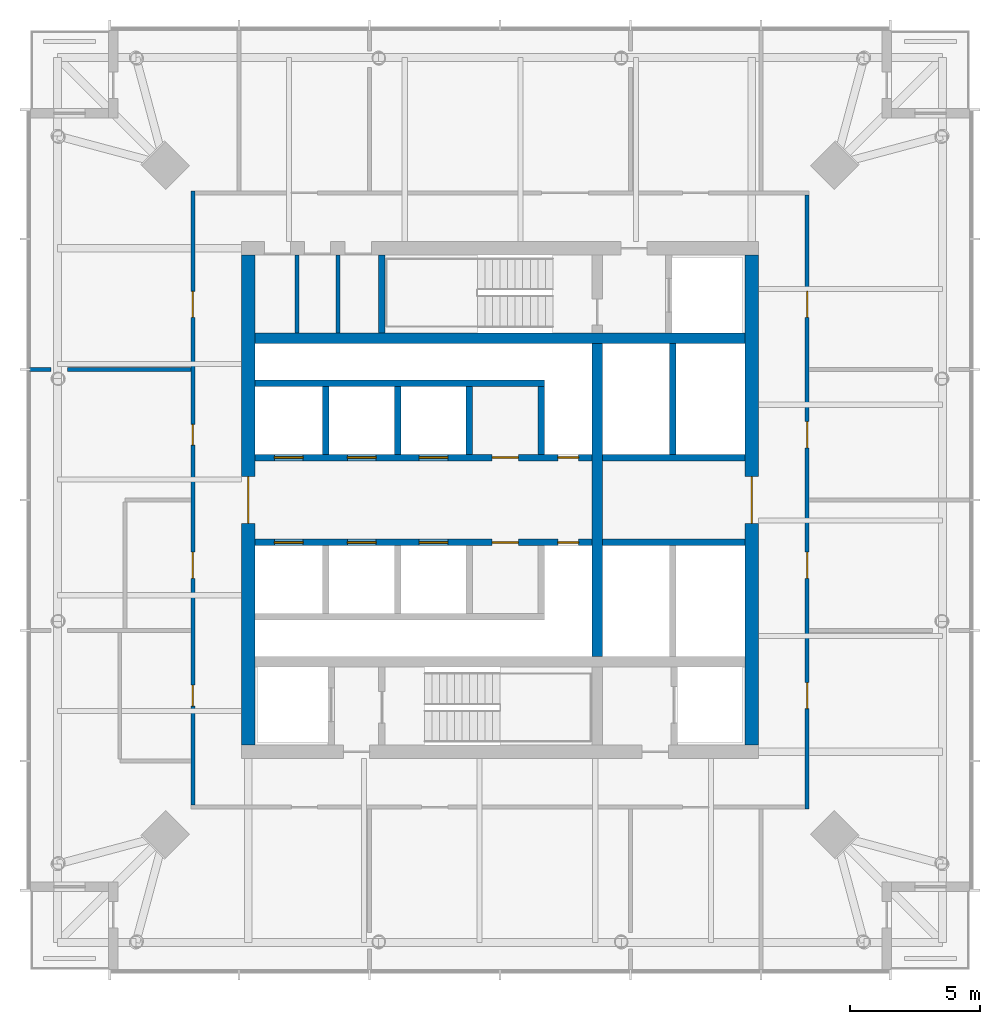
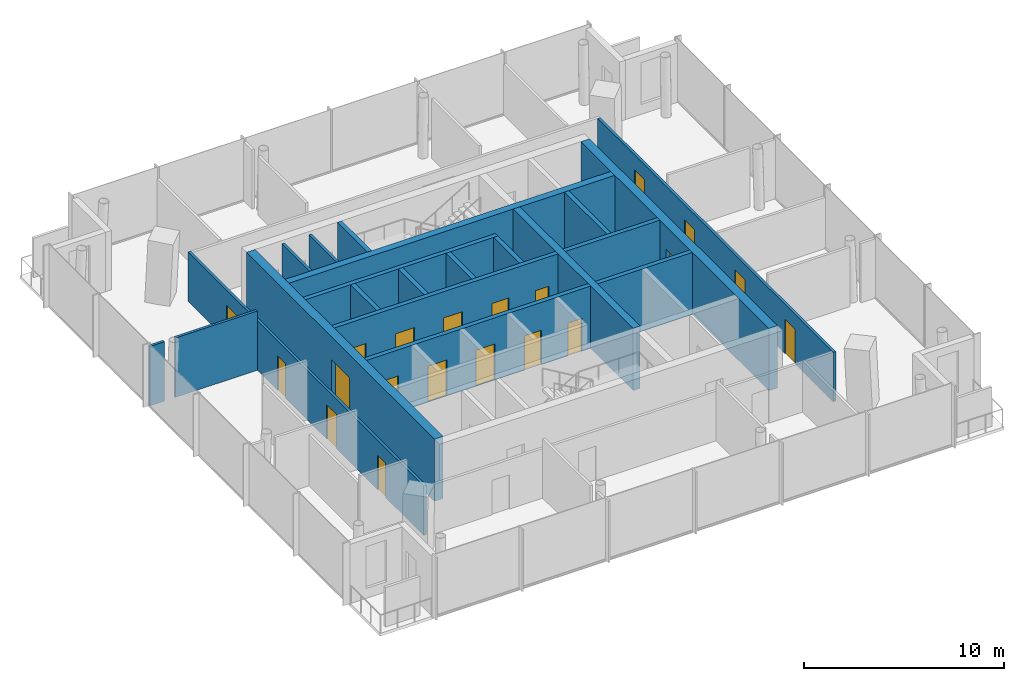
# One storey, part 4 of 7: 21 walls, 20 doors, 20 openings.
"""IFC4 building model written with IfcOpenShell, lengths in metres."""

from ifc_helpers import new_model, si_unit, direction, frame, frame_2d, origin, place, context, subcontext, project, spatial, rectangle, extrude, material, layer, layer_set, type_object, element, fill, save


model = new_model("IFC4")

# Units and contexts
model_context = context("Model", 3, precision=1e-05, world=origin(), true_north=direction((0.0, 1.0)))
body_context = subcontext(model_context, "Body", "Model", "MODEL_VIEW")
ifc_project = project(units=[si_unit("LENGTHUNIT", "METRE"), si_unit("AREAUNIT", "SQUARE_METRE"), si_unit("VOLUMEUNIT", "CUBIC_METRE"), si_unit("PLANEANGLEUNIT", "RADIAN"), si_unit("MASSUNIT", "GRAM", prefix="KILO")], contexts=[model_context])

# Site, building, storey
site_placement = place(None, origin())
site = spatial("IfcSite", under=ifc_project, at=site_placement, CompositionType="ELEMENT")
building_placement = place(site_placement, origin())
building = spatial("IfcBuilding", under=site, at=building_placement, Name="Ostroluk Exchange", CompositionType="ELEMENT")
storey_placement = place(building_placement, frame((0.0, 0.0, 241.39990234375)))
storey = spatial("IfcBuildingStorey", under=building, at=storey_placement, Name="L62", CompositionType="ELEMENT", Elevation=241.39990234375)

# Walls
ifc_material_1 = material(Name="Concrete blockwork", Category="masonry")
ifc_layer_1 = layer(ifc_material_1, 0.14990234375)
ifc_layer_set_1 = layer_set([ifc_layer_1], Name="Blockwork plant room wall 150")
wall_type_1 = type_object("IfcWallType", Name="Blockwork plant room wall 150", PredefinedType="SOLIDWALL", material=ifc_layer_set_1)
for number, where, z_axis, x_axis, name in (
    (1, (37.215087890625, 52.39990234375, 0.0), (0.0, 0.0, 1.0), (0.0, 1.0, 0.0), "Core room wall"),
    (2, (38.782470703125, 52.39990234375, 0.0), (0.0, 0.0, 1.0), (0.0, 1.0, 0.0), "Core room wall"),
):
    element("IfcWall", number, at=place(storey_placement, frame(where, z_axis=z_axis, x_axis=x_axis)), inside=storey, type_object=wall_type_1, Name=name, PredefinedType="SOLIDWALL", context=body_context, shape_type="SweptSolid", body=[
        extrude(rectangle(XDim=3.0, YDim=0.14990234375, at=frame_2d((1.5, 0.0))), origin(), (0.0, 0.0, 1.0), 3.6201171875),
    ])
ifc_material_2 = material(Name="Concrete C50/60", Category="concrete")
ifc_layer_2 = layer(ifc_material_2, 0.39990234375)
ifc_layer_set_2 = layer_set([ifc_layer_2], Name="Core cross wall 400 C50/60")
wall_type_2 = type_object("IfcWallType", Name="Core cross wall 400 C50/60", PredefinedType="SHEAR", material=ifc_layer_set_2)
wall_1_placement = place(storey_placement, frame((35.60009765625, 52.199951171875, 0.0), z_axis=(0.0, 0.0, 1.0), x_axis=(1.0, 0.0, 0.0)))
element("IfcWall", 3, at=wall_1_placement, inside=storey, type_object=wall_type_2, Name="T1 core wall XN", PredefinedType="SHEAR", context=body_context, shape_type="SweptSolid", body=[
    extrude(rectangle(XDim=18.7998046875, YDim=0.39990234375, at=frame_2d((9.39990234375, 0.0))), origin(), (0.0, 0.0, 1.0), 3.800048828125),
])
wall_2_placement = place(storey_placement, frame((48.72998046875, 40.0, 0.0), z_axis=(0.0, 0.0, 1.0), x_axis=(0.0, 1.0, 0.0)))
element("IfcWall", 4, at=wall_2_placement, inside=storey, type_object=wall_type_2, Name="T1 core wall YE2", PredefinedType="SHEAR", context=body_context, shape_type="SweptSolid", body=[
    extrude(rectangle(XDim=12.0, YDim=0.39990234375, at=frame_2d((6.0, 0.0))), origin(), (0.0, 0.0, 1.0), 3.800048828125),
])
ifc_material_3 = material(Name="Concrete C40/50", Category="concrete")
ifc_layer_3 = layer(ifc_material_3, 0.25)
ifc_layer_set_3 = layer_set([ifc_layer_3], Name="Core shaft wall 250")
wall_type_3 = type_object("IfcWallType", Name="Core shaft wall 250", PredefinedType="SHEAR", material=ifc_layer_set_3)
wall_3_placement = place(storey_placement, frame((40.47509765625, 52.39990234375, 0.0), z_axis=(0.0, 0.0, 1.0), x_axis=(0.0, 1.0, 0.0)))
element("IfcWall", 5, at=wall_3_placement, inside=storey, type_object=wall_type_3, Name="Stair shaft wall", PredefinedType="SHEAR", context=body_context, shape_type="SweptSolid", body=[
    extrude(rectangle(XDim=3.0, YDim=0.25, at=frame_2d((1.5, 0.0))), origin(), (0.0, 0.0, 1.0), 3.800048828125),
])
for number, where, z_axis, x_axis, name in (
    (6, (38.324951171875, 47.75, 0.0), (0.0, 0.0, 1.0), (0.0, 1.0, 0.0), "Lift shaft wall"),
    (7, (41.074951171875, 47.75, 0.0), (0.0, 0.0, 1.0), (0.0, 1.0, 0.0), "Lift shaft wall"),
    (8, (43.824951171875, 47.75, 0.0), (0.0, 0.0, 1.0), (0.0, 1.0, 0.0), "Lift shaft wall"),
    (9, (46.574951171875, 47.75, 0.0), (0.0, 0.0, 1.0), (0.0, 1.0, 0.0), "Lift shaft wall"),
):
    element("IfcWall", number, at=place(storey_placement, frame(where, z_axis=z_axis, x_axis=x_axis)), inside=storey, type_object=wall_type_3, Name=name, PredefinedType="SHEAR", context=body_context, shape_type="SweptSolid", body=[
        extrude(rectangle(XDim=2.60009765625, YDim=0.25, at=frame_2d((1.300048828125, 0.0))), origin(), (0.0, 0.0, 1.0), 3.800048828125),
    ])
wall_4_placement = place(storey_placement, frame((35.60009765625, 50.47509765625, 0.0), z_axis=(0.0, 0.0, 1.0), x_axis=(1.0, 0.0, 0.0)))
element("IfcWall", 10, at=wall_4_placement, inside=storey, type_object=wall_type_3, Name="Lift shaft wall", PredefinedType="SHEAR", context=body_context, shape_type="SweptSolid", body=[
    extrude(rectangle(XDim=11.099853515625, YDim=0.25, at=frame_2d((5.5498046875, 0.0))), origin(), (0.0, 0.0, 1.0), 3.800048828125),
])

# Wall, openings, doors
wall_5_placement = place(storey_placement, frame((35.60009765625, 47.625, 0.0), z_axis=(0.0, 0.0, 1.0), x_axis=(1.0, 0.0, 0.0)))
wall_5 = element("IfcWall", 11, at=wall_5_placement, inside=storey, type_object=wall_type_3, Name="Lift shaft front wall", PredefinedType="SHEAR", context=body_context, shape_type="SweptSolid", body=[
    extrude(rectangle(XDim=12.929931640625, YDim=0.25, at=frame_2d((6.46484375, 0.0))), origin(), (0.0, 0.0, 1.0), 3.800048828125),
])
opening_1_placement = place(wall_5_placement, frame((0.75, 0.0, 0.0)))
opening_1 = element("IfcOpeningElement", 12, at=opening_1_placement, cuts=wall_5, Name="Opening LD", PredefinedType="OPENING", context=body_context, shape_type="SweptSolid", body=[
    extrude(rectangle(XDim=1.10009765625, YDim=2.199951171875, at=frame_2d((0.550048828125, 1.10009765625))), frame((0.0, 0.135009765625, 0.0), z_axis=(0.0, -1.0, 0.0), x_axis=(1.0, 0.0, 0.0)), (0.0, 0.0, 1.0), 0.27001953125),
])
opening_2_placement = place(wall_5_placement, frame((3.550048828125, 0.0, 0.0)))
opening_2 = element("IfcOpeningElement", 13, at=opening_2_placement, cuts=wall_5, Name="Opening LD", PredefinedType="OPENING", context=body_context, shape_type="SweptSolid", body=[
    extrude(rectangle(XDim=1.10009765625, YDim=2.199951171875, at=frame_2d((0.550048828125, 1.10009765625))), frame((0.0, 0.135009765625, 0.0), z_axis=(0.0, -1.0, 0.0), x_axis=(1.0, 0.0, 0.0)), (0.0, 0.0, 1.0), 0.27001953125),
])
opening_3_placement = place(wall_5_placement, frame((6.300048828125, 0.0, 0.0)))
opening_3 = element("IfcOpeningElement", 14, at=opening_3_placement, cuts=wall_5, Name="Opening LD", PredefinedType="OPENING", context=body_context, shape_type="SweptSolid", body=[
    extrude(rectangle(XDim=1.10009765625, YDim=2.199951171875, at=frame_2d((0.550048828125, 1.10009765625))), frame((0.0, 0.135009765625, 0.0), z_axis=(0.0, -1.0, 0.0), x_axis=(1.0, 0.0, 0.0)), (0.0, 0.0, 1.0), 0.27001953125),
])
opening_4_placement = place(wall_5_placement, frame((9.10009765625, 0.0, 0.0)))
opening_4 = element("IfcOpeningElement", 15, at=opening_4_placement, cuts=wall_5, Name="Opening FD60", PredefinedType="OPENING", context=body_context, shape_type="SweptSolid", body=[
    extrude(rectangle(XDim=1.0, YDim=2.10009765625, at=frame_2d((0.5, 1.050048828125))), frame((0.0, 0.135009765625, 0.0), z_axis=(0.0, -1.0, 0.0), x_axis=(1.0, 0.0, 0.0)), (0.0, 0.0, 1.0), 0.27001953125),
])
opening_5_placement = place(wall_5_placement, frame((11.614990234375, 0.0, 0.0)))
opening_5 = element("IfcOpeningElement", 16, at=opening_5_placement, cuts=wall_5, Name="Opening RD60", PredefinedType="OPENING", context=body_context, shape_type="SweptSolid", body=[
    extrude(rectangle(XDim=0.800048828125, YDim=2.0, at=frame_2d((0.39990234375, 1.0))), frame((0.0, 0.135009765625, 0.0), z_axis=(0.0, -1.0, 0.0), x_axis=(1.0, 0.0, 0.0)), (0.0, 0.0, 1.0), 0.27001953125),
])
ifc_material_4 = material(Name="Steel", Category="steel")
door_type_1 = type_object("IfcDoorType", Name="Fire door EI 60 1000 x 2100", OperationType="SINGLE_SWING_LEFT", PredefinedType="DOOR", material=ifc_material_4)
door_1_placement = place(opening_4_placement, origin())
door_1 = element("IfcDoor", 17, at=door_1_placement, inside=storey, type_object=door_type_1, Name="Core room door", OperationType="SINGLE_SWING_RIGHT", OverallHeight=2.10009765625, OverallWidth=1.0, PredefinedType="DOOR", context=body_context, shape_type="SweptSolid", body=[
    extrude(rectangle(XDim=1.0, YDim=2.10009765625, at=frame_2d((0.5, 1.050048828125))), frame((0.0, 0.02490234375, 0.0), z_axis=(0.0, -1.0, 0.0), x_axis=(1.0, 0.0, 0.0)), (0.0, 0.0, 1.0), 0.050048828125),
])
fill(opening_4, door_1)
ifc_material_5 = material(Name="Stainless steel", Category="steel")
door_type_2 = type_object("IfcDoorType", Name="Lift landing door E 60 1100 x 2200", OperationType="DOUBLE_DOOR_SLIDING", PredefinedType="DOOR", material=ifc_material_5)
door_2_placement = place(opening_1_placement, origin())
door_2 = element("IfcDoor", 18, at=door_2_placement, inside=storey, type_object=door_type_2, Name="Lift PL-T1 landing door", OperationType="DOUBLE_DOOR_SLIDING", OverallHeight=2.199951171875, OverallWidth=1.10009765625, PredefinedType="DOOR", context=body_context, shape_type="SweptSolid", body=[
    extrude(rectangle(XDim=1.10009765625, YDim=2.199951171875, at=frame_2d((0.550048828125, 1.10009765625))), frame((0.0, 0.02490234375, 0.0), z_axis=(0.0, -1.0, 0.0), x_axis=(1.0, 0.0, 0.0)), (0.0, 0.0, 1.0), 0.050048828125),
])
fill(opening_1, door_2)
door_3_placement = place(opening_2_placement, origin())
door_3 = element("IfcDoor", 19, at=door_3_placement, inside=storey, type_object=door_type_2, Name="Lift PL-T2 landing door", OperationType="DOUBLE_DOOR_SLIDING", OverallHeight=2.199951171875, OverallWidth=1.10009765625, PredefinedType="DOOR", context=body_context, shape_type="SweptSolid", body=[
    extrude(rectangle(XDim=1.10009765625, YDim=2.199951171875, at=frame_2d((0.550048828125, 1.10009765625))), frame((0.0, 0.02490234375, 0.0), z_axis=(0.0, -1.0, 0.0), x_axis=(1.0, 0.0, 0.0)), (0.0, 0.0, 1.0), 0.050048828125),
])
fill(opening_2, door_3)
door_4_placement = place(opening_3_placement, origin())
door_4 = element("IfcDoor", 20, at=door_4_placement, inside=storey, type_object=door_type_2, Name="Lift PL-T3 landing door", OperationType="DOUBLE_DOOR_SLIDING", OverallHeight=2.199951171875, OverallWidth=1.10009765625, PredefinedType="DOOR", context=body_context, shape_type="SweptSolid", body=[
    extrude(rectangle(XDim=1.10009765625, YDim=2.199951171875, at=frame_2d((0.550048828125, 1.10009765625))), frame((0.0, 0.02490234375, 0.0), z_axis=(0.0, -1.0, 0.0), x_axis=(1.0, 0.0, 0.0)), (0.0, 0.0, 1.0), 0.050048828125),
])
fill(opening_3, door_4)
ifc_material_6 = material(Name="Steel", Category="steel")
door_type_3 = type_object("IfcDoorType", Name="Riser access door EI 60 800 x 2000", OperationType="SINGLE_SWING_LEFT", PredefinedType="DOOR", material=ifc_material_6)
door_5_placement = place(opening_5_placement, origin())
door_5 = element("IfcDoor", 21, at=door_5_placement, inside=storey, type_object=door_type_3, Name="Riser access door", OperationType="SINGLE_SWING_RIGHT", OverallHeight=2.0, OverallWidth=0.800048828125, PredefinedType="DOOR", context=body_context, shape_type="SweptSolid", body=[
    extrude(rectangle(XDim=0.800048828125, YDim=2.0, at=frame_2d((0.39990234375, 1.0))), frame((0.0, 0.02490234375, 0.0), z_axis=(0.0, -1.0, 0.0), x_axis=(1.0, 0.0, 0.0)), (0.0, 0.0, 1.0), 0.050048828125),
])
fill(opening_5, door_5)

wall_6_placement = place(storey_placement, frame((35.60009765625, 44.375, 0.0), z_axis=(0.0, 0.0, 1.0), x_axis=(1.0, 0.0, 0.0)))
wall_6 = element("IfcWall", 22, at=wall_6_placement, inside=storey, type_object=wall_type_3, Name="Lift shaft front wall", PredefinedType="SHEAR", context=body_context, shape_type="SweptSolid", body=[
    extrude(rectangle(XDim=12.929931640625, YDim=0.25, at=frame_2d((6.46484375, 0.0))), origin(), (0.0, 0.0, 1.0), 3.800048828125),
])
opening_6_placement = place(wall_6_placement, frame((0.75, 0.0, 0.0)))
opening_6 = element("IfcOpeningElement", 23, at=opening_6_placement, cuts=wall_6, Name="Opening LD", PredefinedType="OPENING", context=body_context, shape_type="SweptSolid", body=[
    extrude(rectangle(XDim=1.10009765625, YDim=2.199951171875, at=frame_2d((0.550048828125, 1.10009765625))), frame((0.0, 0.135009765625, 0.0), z_axis=(0.0, -1.0, 0.0), x_axis=(1.0, 0.0, 0.0)), (0.0, 0.0, 1.0), 0.27001953125),
])
opening_7_placement = place(wall_6_placement, frame((3.550048828125, 0.0, 0.0)))
opening_7 = element("IfcOpeningElement", 24, at=opening_7_placement, cuts=wall_6, Name="Opening LD", PredefinedType="OPENING", context=body_context, shape_type="SweptSolid", body=[
    extrude(rectangle(XDim=1.10009765625, YDim=2.199951171875, at=frame_2d((0.550048828125, 1.10009765625))), frame((0.0, 0.135009765625, 0.0), z_axis=(0.0, -1.0, 0.0), x_axis=(1.0, 0.0, 0.0)), (0.0, 0.0, 1.0), 0.27001953125),
])
opening_8_placement = place(wall_6_placement, frame((6.300048828125, 0.0, 0.0)))
opening_8 = element("IfcOpeningElement", 25, at=opening_8_placement, cuts=wall_6, Name="Opening LD", PredefinedType="OPENING", context=body_context, shape_type="SweptSolid", body=[
    extrude(rectangle(XDim=1.10009765625, YDim=2.199951171875, at=frame_2d((0.550048828125, 1.10009765625))), frame((0.0, 0.135009765625, 0.0), z_axis=(0.0, -1.0, 0.0), x_axis=(1.0, 0.0, 0.0)), (0.0, 0.0, 1.0), 0.27001953125),
])
opening_9_placement = place(wall_6_placement, frame((9.10009765625, 0.0, 0.0)))
opening_9 = element("IfcOpeningElement", 26, at=opening_9_placement, cuts=wall_6, Name="Opening FD60", PredefinedType="OPENING", context=body_context, shape_type="SweptSolid", body=[
    extrude(rectangle(XDim=1.0, YDim=2.10009765625, at=frame_2d((0.5, 1.050048828125))), frame((0.0, 0.135009765625, 0.0), z_axis=(0.0, -1.0, 0.0), x_axis=(1.0, 0.0, 0.0)), (0.0, 0.0, 1.0), 0.27001953125),
])
opening_10_placement = place(wall_6_placement, frame((11.614990234375, 0.0, 0.0)))
opening_10 = element("IfcOpeningElement", 27, at=opening_10_placement, cuts=wall_6, Name="Opening RD60", PredefinedType="OPENING", context=body_context, shape_type="SweptSolid", body=[
    extrude(rectangle(XDim=0.800048828125, YDim=2.0, at=frame_2d((0.39990234375, 1.0))), frame((0.0, 0.135009765625, 0.0), z_axis=(0.0, -1.0, 0.0), x_axis=(1.0, 0.0, 0.0)), (0.0, 0.0, 1.0), 0.27001953125),
])
door_6_placement = place(opening_9_placement, origin())
door_6 = element("IfcDoor", 28, at=door_6_placement, inside=storey, type_object=door_type_1, Name="Core room door", OperationType="SINGLE_SWING_RIGHT", OverallHeight=2.10009765625, OverallWidth=1.0, PredefinedType="DOOR", context=body_context, shape_type="SweptSolid", body=[
    extrude(rectangle(XDim=1.0, YDim=2.10009765625, at=frame_2d((0.5, 1.050048828125))), frame((0.0, 0.02490234375, 0.0), z_axis=(0.0, -1.0, 0.0), x_axis=(1.0, 0.0, 0.0)), (0.0, 0.0, 1.0), 0.050048828125),
])
fill(opening_9, door_6)
door_7_placement = place(opening_6_placement, origin())
door_7 = element("IfcDoor", 29, at=door_7_placement, inside=storey, type_object=door_type_2, Name="Lift PL-T4 landing door", OperationType="DOUBLE_DOOR_SLIDING", OverallHeight=2.199951171875, OverallWidth=1.10009765625, PredefinedType="DOOR", context=body_context, shape_type="SweptSolid", body=[
    extrude(rectangle(XDim=1.10009765625, YDim=2.199951171875, at=frame_2d((0.550048828125, 1.10009765625))), frame((0.0, 0.02490234375, 0.0), z_axis=(0.0, -1.0, 0.0), x_axis=(1.0, 0.0, 0.0)), (0.0, 0.0, 1.0), 0.050048828125),
])
fill(opening_6, door_7)
door_8_placement = place(opening_7_placement, origin())
door_8 = element("IfcDoor", 30, at=door_8_placement, inside=storey, type_object=door_type_2, Name="Lift PL-T5 landing door", OperationType="DOUBLE_DOOR_SLIDING", OverallHeight=2.199951171875, OverallWidth=1.10009765625, PredefinedType="DOOR", context=body_context, shape_type="SweptSolid", body=[
    extrude(rectangle(XDim=1.10009765625, YDim=2.199951171875, at=frame_2d((0.550048828125, 1.10009765625))), frame((0.0, 0.02490234375, 0.0), z_axis=(0.0, -1.0, 0.0), x_axis=(1.0, 0.0, 0.0)), (0.0, 0.0, 1.0), 0.050048828125),
])
fill(opening_7, door_8)
door_9_placement = place(opening_8_placement, origin())
door_9 = element("IfcDoor", 31, at=door_9_placement, inside=storey, type_object=door_type_2, Name="Lift PL-T6 landing door", OperationType="DOUBLE_DOOR_SLIDING", OverallHeight=2.199951171875, OverallWidth=1.10009765625, PredefinedType="DOOR", context=body_context, shape_type="SweptSolid", body=[
    extrude(rectangle(XDim=1.10009765625, YDim=2.199951171875, at=frame_2d((0.550048828125, 1.10009765625))), frame((0.0, 0.02490234375, 0.0), z_axis=(0.0, -1.0, 0.0), x_axis=(1.0, 0.0, 0.0)), (0.0, 0.0, 1.0), 0.050048828125),
])
fill(opening_8, door_9)
door_10_placement = place(opening_10_placement, origin())
door_10 = element("IfcDoor", 32, at=door_10_placement, inside=storey, type_object=door_type_3, Name="Riser access door", OperationType="SINGLE_SWING_RIGHT", OverallHeight=2.0, OverallWidth=0.800048828125, PredefinedType="DOOR", context=body_context, shape_type="SweptSolid", body=[
    extrude(rectangle(XDim=0.800048828125, YDim=2.0, at=frame_2d((0.39990234375, 1.0))), frame((0.0, 0.02490234375, 0.0), z_axis=(0.0, -1.0, 0.0), x_axis=(1.0, 0.0, 0.0)), (0.0, 0.0, 1.0), 0.050048828125),
])
fill(opening_10, door_10)

# Walls
wall_7_placement = place(storey_placement, frame((51.614990234375, 47.75, 0.0), z_axis=(0.0, 0.0, 1.0), x_axis=(0.0, 1.0, 0.0)))
element("IfcWall", 33, at=wall_7_placement, inside=storey, type_object=wall_type_3, Name="Lift shaft wall", PredefinedType="SHEAR", context=body_context, shape_type="SweptSolid", body=[
    extrude(rectangle(XDim=4.25, YDim=0.25, at=frame_2d((2.125, 0.0))), origin(), (0.0, 0.0, 1.0), 3.800048828125),
])
for number, where, z_axis, x_axis, name in (
    (34, (48.929931640625, 47.625, 0.0), (0.0, 0.0, 1.0), (1.0, 0.0, 0.0), "Lift shaft front wall"),
    (35, (48.929931640625, 44.375, 0.0), (0.0, 0.0, 1.0), (1.0, 0.0, 0.0), "Lift shaft front wall"),
):
    element("IfcWall", number, at=place(storey_placement, frame(where, z_axis=z_axis, x_axis=x_axis)), inside=storey, type_object=wall_type_3, Name=name, PredefinedType="SHEAR", context=body_context, shape_type="SweptSolid", body=[
        extrude(rectangle(XDim=5.469970703125, YDim=0.25, at=frame_2d((2.73486328125, 0.0))), origin(), (0.0, 0.0, 1.0), 3.800048828125),
    ])

# Wall, opening, door
ifc_material_7 = material(Name="Concrete C50/60", Category="concrete")
ifc_layer_4 = layer(ifc_material_7, 0.5)
ifc_layer_set_4 = layer_set([ifc_layer_4], Name="Core wall 500 C50/60")
wall_type_4 = type_object("IfcWallType", Name="Core wall 500 C50/60", PredefinedType="SHEAR", material=ifc_layer_set_4)
wall_8_placement = place(storey_placement, frame((35.35009765625, 36.60009765625, 0.0), z_axis=(0.0, 0.0, 1.0), x_axis=(0.0, 1.0, 0.0)))
wall_8 = element("IfcWall", 36, at=wall_8_placement, inside=storey, type_object=wall_type_4, Name="T1 core wall W", PredefinedType="SHEAR", context=body_context, shape_type="SweptSolid", body=[
    extrude(rectangle(XDim=18.7998046875, YDim=0.5, at=frame_2d((9.39990234375, 0.0))), origin(), (0.0, 0.0, 1.0), 3.800048828125),
])
opening_11_placement = place(wall_8_placement, frame((8.5, 0.0, 0.0)))
opening_11 = element("IfcOpeningElement", 37, at=opening_11_placement, cuts=wall_8, Name="Opening FD30D", PredefinedType="OPENING", context=body_context, shape_type="SweptSolid", body=[
    extrude(rectangle(XDim=1.800048828125, YDim=2.39990234375, at=frame_2d((0.89990234375, 1.199951171875))), frame((0.0, 0.260009765625, 0.0), z_axis=(0.0, -1.0, 0.0), x_axis=(1.0, 0.0, 0.0)), (0.0, 0.0, 1.0), 0.52001953125),
])
ifc_material_8 = material(Name="Timber", Category="wood")
door_type_4 = type_object("IfcDoorType", Name="Lobby double door EI 30 1800 x 2400", OperationType="DOUBLE_DOOR_SINGLE_SWING", PredefinedType="DOOR", material=ifc_material_8)
door_11_placement = place(opening_11_placement, origin())
door_11 = element("IfcDoor", 38, at=door_11_placement, inside=storey, type_object=door_type_4, Name="Lift lobby doors", OperationType="DOUBLE_DOOR_SINGLE_SWING", OverallHeight=2.39990234375, OverallWidth=1.800048828125, PredefinedType="DOOR", context=body_context, shape_type="SweptSolid", body=[
    extrude(rectangle(XDim=1.800048828125, YDim=2.39990234375, at=frame_2d((0.89990234375, 1.199951171875))), frame((0.0, 0.02490234375, 0.0), z_axis=(0.0, -1.0, 0.0), x_axis=(1.0, 0.0, 0.0)), (0.0, 0.0, 1.0), 0.050048828125),
])
fill(opening_11, door_11)

wall_9_placement = place(storey_placement, frame((54.64990234375, 36.60009765625, 0.0), z_axis=(0.0, 0.0, 1.0), x_axis=(0.0, 1.0, 0.0)))
wall_9 = element("IfcWall", 39, at=wall_9_placement, inside=storey, type_object=wall_type_4, Name="T1 core wall E", PredefinedType="SHEAR", context=body_context, shape_type="SweptSolid", body=[
    extrude(rectangle(XDim=18.7998046875, YDim=0.5, at=frame_2d((9.39990234375, 0.0))), origin(), (0.0, 0.0, 1.0), 3.800048828125),
])
opening_12_placement = place(wall_9_placement, frame((8.5, 0.0, 0.0)))
opening_12 = element("IfcOpeningElement", 40, at=opening_12_placement, cuts=wall_9, Name="Opening FD30D", PredefinedType="OPENING", context=body_context, shape_type="SweptSolid", body=[
    extrude(rectangle(XDim=1.800048828125, YDim=2.39990234375, at=frame_2d((0.89990234375, 1.199951171875))), frame((0.0, 0.260009765625, 0.0), z_axis=(0.0, -1.0, 0.0), x_axis=(1.0, 0.0, 0.0)), (0.0, 0.0, 1.0), 0.52001953125),
])
door_12_placement = place(opening_12_placement, origin())
door_12 = element("IfcDoor", 41, at=door_12_placement, inside=storey, type_object=door_type_4, Name="Lift lobby doors", OperationType="DOUBLE_DOOR_SINGLE_SWING", OverallHeight=2.39990234375, OverallWidth=1.800048828125, PredefinedType="DOOR", context=body_context, shape_type="SweptSolid", body=[
    extrude(rectangle(XDim=1.800048828125, YDim=2.39990234375, at=frame_2d((0.89990234375, 1.199951171875))), frame((0.0, 0.02490234375, 0.0), z_axis=(0.0, -1.0, 0.0), x_axis=(1.0, 0.0, 0.0)), (0.0, 0.0, 1.0), 0.050048828125),
])
fill(opening_12, door_12)

# Wall, openings, doors
ifc_material_9 = material(Name="Gypsum plasterboard partition", Category="gypsum")
ifc_layer_5 = layer(ifc_material_9, 0.14990234375)
ifc_layer_set_5 = layer_set([ifc_layer_5], Name="Plasterboard partition 150")
wall_type_5 = type_object("IfcWallType", Name="Plasterboard partition 150", PredefinedType="PARTITIONING", material=ifc_layer_set_5)
wall_10_placement = place(storey_placement, frame((56.77490234375, 34.14990234375, 0.0), z_axis=(0.0, 0.0, 1.0), x_axis=(0.0, 1.0, 0.0)))
wall_10 = element("IfcWall", 42, at=wall_10_placement, inside=storey, type_object=wall_type_5, Name="Partition", PredefinedType="PARTITIONING", context=body_context, shape_type="SweptSolid", body=[
    extrude(rectangle(XDim=23.550048828125, YDim=0.14990234375, at=frame_2d((11.77490234375, 0.0))), origin(), (0.0, 0.0, 1.0), 3.02001953125),
])
opening_13_placement = place(wall_10_placement, frame((3.85009765625, 0.0, 0.0)))
opening_13 = element("IfcOpeningElement", 43, at=opening_13_placement, cuts=wall_10, Name="Opening D-03", PredefinedType="OPENING", context=body_context, shape_type="SweptSolid", body=[
    extrude(rectangle(XDim=1.0, YDim=2.10009765625, at=frame_2d((0.5, 1.050048828125))), frame((0.0, 0.0849609375, 0.0), z_axis=(0.0, -1.0, 0.0), x_axis=(1.0, 0.0, 0.0)), (0.0, 0.0, 1.0), 0.169921875),
])
opening_14_placement = place(wall_10_placement, frame((8.85009765625, 0.0, 0.0)))
opening_14 = element("IfcOpeningElement", 44, at=opening_14_placement, cuts=wall_10, Name="Opening D-03", PredefinedType="OPENING", context=body_context, shape_type="SweptSolid", body=[
    extrude(rectangle(XDim=1.0, YDim=2.10009765625, at=frame_2d((0.5, 1.050048828125))), frame((0.0, 0.0849609375, 0.0), z_axis=(0.0, -1.0, 0.0), x_axis=(1.0, 0.0, 0.0)), (0.0, 0.0, 1.0), 0.169921875),
])
opening_15_placement = place(wall_10_placement, frame((13.85009765625, 0.0, 0.0)))
opening_15 = element("IfcOpeningElement", 45, at=opening_15_placement, cuts=wall_10, Name="Opening D-03", PredefinedType="OPENING", context=body_context, shape_type="SweptSolid", body=[
    extrude(rectangle(XDim=1.0, YDim=2.10009765625, at=frame_2d((0.5, 1.050048828125))), frame((0.0, 0.0849609375, 0.0), z_axis=(0.0, -1.0, 0.0), x_axis=(1.0, 0.0, 0.0)), (0.0, 0.0, 1.0), 0.169921875),
])
opening_16_placement = place(wall_10_placement, frame((18.85009765625, 0.0, 0.0)))
opening_16 = element("IfcOpeningElement", 46, at=opening_16_placement, cuts=wall_10, Name="Opening D-03", PredefinedType="OPENING", context=body_context, shape_type="SweptSolid", body=[
    extrude(rectangle(XDim=1.0, YDim=2.10009765625, at=frame_2d((0.5, 1.050048828125))), frame((0.0, 0.0849609375, 0.0), z_axis=(0.0, -1.0, 0.0), x_axis=(1.0, 0.0, 0.0)), (0.0, 0.0, 1.0), 0.169921875),
])
ifc_material_10 = material(Name="Timber", Category="wood")
door_type_5 = type_object("IfcDoorType", Name="Internal door 1000 x 2100", OperationType="SINGLE_SWING_LEFT", PredefinedType="DOOR", material=ifc_material_10)
door_13_placement = place(opening_13_placement, origin())
door_13 = element("IfcDoor", 47, at=door_13_placement, inside=storey, type_object=door_type_5, Name="Corner office door", OperationType="SINGLE_SWING_LEFT", OverallHeight=2.10009765625, OverallWidth=1.0, PredefinedType="DOOR", context=body_context, shape_type="SweptSolid", body=[
    extrude(rectangle(XDim=1.0, YDim=2.10009765625, at=frame_2d((0.5, 1.050048828125))), frame((0.0, 0.02490234375, 0.0), z_axis=(0.0, -1.0, 0.0), x_axis=(1.0, 0.0, 0.0)), (0.0, 0.0, 1.0), 0.050048828125),
])
fill(opening_13, door_13)
door_14_placement = place(opening_14_placement, origin())
door_14 = element("IfcDoor", 48, at=door_14_placement, inside=storey, type_object=door_type_5, Name="Office door", OperationType="SINGLE_SWING_LEFT", OverallHeight=2.10009765625, OverallWidth=1.0, PredefinedType="DOOR", context=body_context, shape_type="SweptSolid", body=[
    extrude(rectangle(XDim=1.0, YDim=2.10009765625, at=frame_2d((0.5, 1.050048828125))), frame((0.0, 0.02490234375, 0.0), z_axis=(0.0, -1.0, 0.0), x_axis=(1.0, 0.0, 0.0)), (0.0, 0.0, 1.0), 0.050048828125),
])
fill(opening_14, door_14)
door_15_placement = place(opening_15_placement, origin())
door_15 = element("IfcDoor", 49, at=door_15_placement, inside=storey, type_object=door_type_5, Name="Meeting room door", OperationType="SINGLE_SWING_RIGHT", OverallHeight=2.10009765625, OverallWidth=1.0, PredefinedType="DOOR", context=body_context, shape_type="SweptSolid", body=[
    extrude(rectangle(XDim=1.0, YDim=2.10009765625, at=frame_2d((0.5, 1.050048828125))), frame((0.0, 0.02490234375, 0.0), z_axis=(0.0, -1.0, 0.0), x_axis=(1.0, 0.0, 0.0)), (0.0, 0.0, 1.0), 0.050048828125),
])
fill(opening_15, door_15)
door_16_placement = place(opening_16_placement, origin())
door_16 = element("IfcDoor", 50, at=door_16_placement, inside=storey, type_object=door_type_5, Name="Office door", OperationType="SINGLE_SWING_RIGHT", OverallHeight=2.10009765625, OverallWidth=1.0, PredefinedType="DOOR", context=body_context, shape_type="SweptSolid", body=[
    extrude(rectangle(XDim=1.0, YDim=2.10009765625, at=frame_2d((0.5, 1.050048828125))), frame((0.0, 0.02490234375, 0.0), z_axis=(0.0, -1.0, 0.0), x_axis=(1.0, 0.0, 0.0)), (0.0, 0.0, 1.0), 0.050048828125),
])
fill(opening_16, door_16)

wall_11_placement = place(storey_placement, frame((33.22509765625, 57.85009765625, 0.0), z_axis=(0.0, 0.0, 1.0), x_axis=(0.0, -1.0, 0.0)))
wall_11 = element("IfcWall", 51, at=wall_11_placement, inside=storey, type_object=wall_type_5, Name="Partition", PredefinedType="PARTITIONING", context=body_context, shape_type="SweptSolid", body=[
    extrude(rectangle(XDim=23.550048828125, YDim=0.14990234375, at=frame_2d((11.77490234375, 0.0))), origin(), (0.0, 0.0, 1.0), 3.02001953125),
])
opening_17_placement = place(wall_11_placement, frame((3.85009765625, 0.0, 0.0)))
opening_17 = element("IfcOpeningElement", 52, at=opening_17_placement, cuts=wall_11, Name="Opening D-03", PredefinedType="OPENING", context=body_context, shape_type="SweptSolid", body=[
    extrude(rectangle(XDim=1.0, YDim=2.10009765625, at=frame_2d((0.5, 1.050048828125))), frame((0.0, 0.0849609375, 0.0), z_axis=(0.0, -1.0, 0.0), x_axis=(1.0, 0.0, 0.0)), (0.0, 0.0, 1.0), 0.169921875),
])
opening_18_placement = place(wall_11_placement, frame((8.949951171875, 0.0, 0.0)))
opening_18 = element("IfcOpeningElement", 53, at=opening_18_placement, cuts=wall_11, Name="Opening D-06", PredefinedType="OPENING", context=body_context, shape_type="SweptSolid", body=[
    extrude(rectangle(XDim=0.800048828125, YDim=2.10009765625, at=frame_2d((0.39990234375, 1.050048828125))), frame((0.0, 0.0849609375, 0.0), z_axis=(0.0, -1.0, 0.0), x_axis=(1.0, 0.0, 0.0)), (0.0, 0.0, 1.0), 0.169921875),
])
opening_19_placement = place(wall_11_placement, frame((13.85009765625, 0.0, 0.0)))
opening_19 = element("IfcOpeningElement", 54, at=opening_19_placement, cuts=wall_11, Name="Opening D-03", PredefinedType="OPENING", context=body_context, shape_type="SweptSolid", body=[
    extrude(rectangle(XDim=1.0, YDim=2.10009765625, at=frame_2d((0.5, 1.050048828125))), frame((0.0, 0.0849609375, 0.0), z_axis=(0.0, -1.0, 0.0), x_axis=(1.0, 0.0, 0.0)), (0.0, 0.0, 1.0), 0.169921875),
])
opening_20_placement = place(wall_11_placement, frame((18.949951171875, 0.0, 0.0)))
opening_20 = element("IfcOpeningElement", 55, at=opening_20_placement, cuts=wall_11, Name="Opening D-06", PredefinedType="OPENING", context=body_context, shape_type="SweptSolid", body=[
    extrude(rectangle(XDim=0.800048828125, YDim=2.10009765625, at=frame_2d((0.39990234375, 1.050048828125))), frame((0.0, 0.0849609375, 0.0), z_axis=(0.0, -1.0, 0.0), x_axis=(1.0, 0.0, 0.0)), (0.0, 0.0, 1.0), 0.169921875),
])
door_17_placement = place(opening_17_placement, origin())
door_17 = element("IfcDoor", 56, at=door_17_placement, inside=storey, type_object=door_type_5, Name="Corner office door", OperationType="SINGLE_SWING_LEFT", OverallHeight=2.10009765625, OverallWidth=1.0, PredefinedType="DOOR", context=body_context, shape_type="SweptSolid", body=[
    extrude(rectangle(XDim=1.0, YDim=2.10009765625, at=frame_2d((0.5, 1.050048828125))), frame((0.0, 0.02490234375, 0.0), z_axis=(0.0, -1.0, 0.0), x_axis=(1.0, 0.0, 0.0)), (0.0, 0.0, 1.0), 0.050048828125),
])
fill(opening_17, door_17)
door_18_placement = place(opening_19_placement, origin())
door_18 = element("IfcDoor", 57, at=door_18_placement, inside=storey, type_object=door_type_5, Name="Accessible WC door", OperationType="SINGLE_SWING_RIGHT", OverallHeight=2.10009765625, OverallWidth=1.0, PredefinedType="DOOR", context=body_context, shape_type="SweptSolid", body=[
    extrude(rectangle(XDim=1.0, YDim=2.10009765625, at=frame_2d((0.5, 1.050048828125))), frame((0.0, 0.02490234375, 0.0), z_axis=(0.0, -1.0, 0.0), x_axis=(1.0, 0.0, 0.0)), (0.0, 0.0, 1.0), 0.050048828125),
])
fill(opening_19, door_18)
ifc_material_11 = material(Name="Timber", Category="wood")
door_type_6 = type_object("IfcDoorType", Name="Toilet door 800 x 2100", OperationType="SINGLE_SWING_LEFT", PredefinedType="DOOR", material=ifc_material_11)
door_19_placement = place(opening_18_placement, origin())
door_19 = element("IfcDoor", 58, at=door_19_placement, inside=storey, type_object=door_type_6, Name="WC female door", OperationType="SINGLE_SWING_LEFT", OverallHeight=2.10009765625, OverallWidth=0.800048828125, PredefinedType="DOOR", context=body_context, shape_type="SweptSolid", body=[
    extrude(rectangle(XDim=0.800048828125, YDim=2.10009765625, at=frame_2d((0.39990234375, 1.050048828125))), frame((0.0, 0.02490234375, 0.0), z_axis=(0.0, -1.0, 0.0), x_axis=(1.0, 0.0, 0.0)), (0.0, 0.0, 1.0), 0.050048828125),
])
fill(opening_18, door_19)
door_20_placement = place(opening_20_placement, origin())
door_20 = element("IfcDoor", 59, at=door_20_placement, inside=storey, type_object=door_type_6, Name="WC male door", OperationType="SINGLE_SWING_RIGHT", OverallHeight=2.10009765625, OverallWidth=0.800048828125, PredefinedType="DOOR", context=body_context, shape_type="SweptSolid", body=[
    extrude(rectangle(XDim=0.800048828125, YDim=2.10009765625, at=frame_2d((0.39990234375, 1.050048828125))), frame((0.0, 0.02490234375, 0.0), z_axis=(0.0, -1.0, 0.0), x_axis=(1.0, 0.0, 0.0)), (0.0, 0.0, 1.0), 0.050048828125),
])
fill(opening_20, door_20)

# Walls
wall_12_placement = place(storey_placement, frame((33.14990234375, 51.0, 0.0), z_axis=(0.0, 0.0, 1.0), x_axis=(-1.0, 0.0, 0.0)))
element("IfcWall", 60, at=wall_12_placement, inside=storey, type_object=wall_type_5, Name="Partition", PredefinedType="PARTITIONING", context=body_context, shape_type="SweptSolid", body=[
    extrude(rectangle(XDim=4.731689453125, YDim=0.14990234375, at=frame_2d((2.36572265625, 0.0))), origin(), (0.0, 0.0, 1.0), 3.6201171875),
])
wall_13_placement = place(storey_placement, frame((27.788818359375, 51.0, 0.0), z_axis=(0.0, 0.0, 1.0), x_axis=(-1.0, 0.0, 0.0)))
element("IfcWall", 61, at=wall_13_placement, inside=storey, type_object=wall_type_5, Name="Partition", PredefinedType="PARTITIONING", context=body_context, shape_type="SweptSolid", body=[
    extrude(rectangle(XDim=0.828857421875, YDim=0.14990234375, at=frame_2d((0.41455078125, 0.0))), origin(), (0.0, 0.0, 1.0), 3.6201171875),
])

save(model, "model.ifc")
